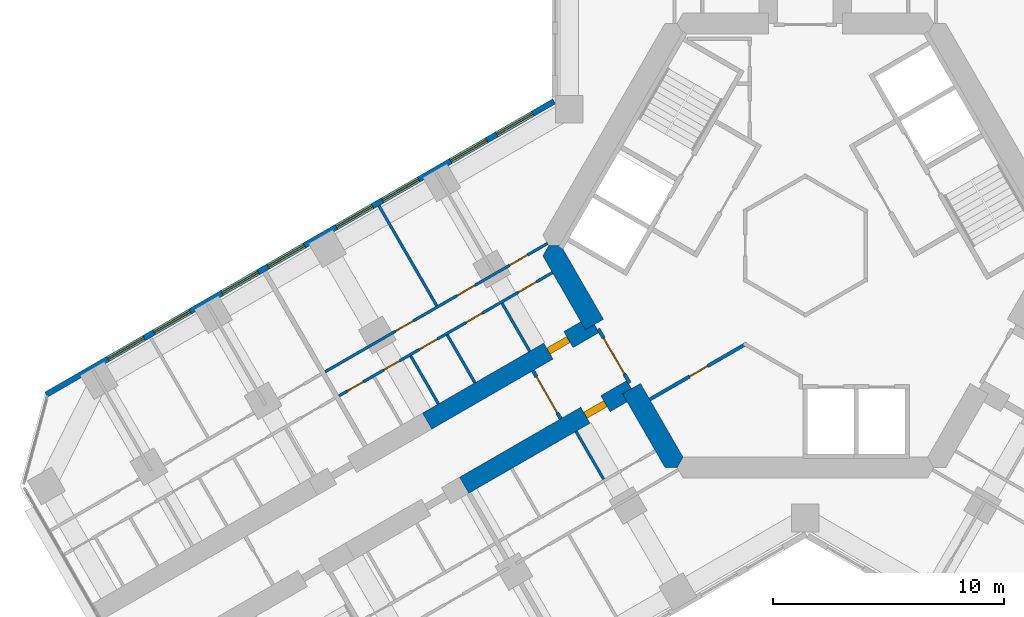
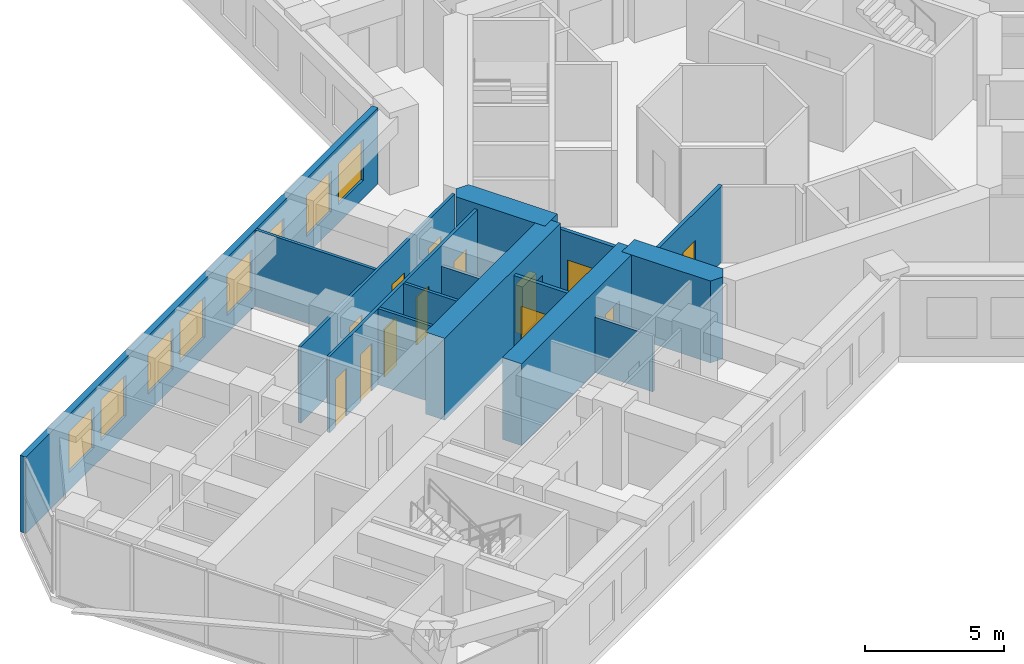
# One storey, part 12 of 20: 15 walls, 13 doors, 8 windows, 21 openings.
"""IFC4 building model written with IfcOpenShell, lengths in metres."""

from ifc_helpers import new_model, si_unit, direction, frame, frame_2d, origin, place, context, subcontext, project, spatial, polyline, rectangle, outline, extrude, material, layer, layer_set, type_object, element, fill, save


model = new_model("IFC4")

# Units and contexts
model_context = context("Model", 3, precision=1e-05, world=origin(), true_north=direction((0.0, 1.0)))
body_context = subcontext(model_context, "Body", "Model", "MODEL_VIEW")
ifc_project = project(units=[si_unit("LENGTHUNIT", "METRE"), si_unit("AREAUNIT", "SQUARE_METRE"), si_unit("VOLUMEUNIT", "CUBIC_METRE"), si_unit("PLANEANGLEUNIT", "RADIAN"), si_unit("MASSUNIT", "GRAM", prefix="KILO")], contexts=[model_context])

# Site, building, storey
site_placement = place(None, origin())
site = spatial("IfcSite", under=ifc_project, at=site_placement, CompositionType="ELEMENT")
building_placement = place(site_placement, origin())
building = spatial("IfcBuilding", under=site, at=building_placement, Name="Kosmar Iwan School Tower", CompositionType="ELEMENT")
storey_placement = place(building_placement, frame((0.0, 0.0, 123.800048828125)))
storey = spatial("IfcBuildingStorey", under=building, at=storey_placement, Name="L30", CompositionType="ELEMENT", Elevation=123.800048828125)

# Wall, opening, door
ifc_material_1 = material(Name="Gypsum board on steel studs, fire-rated", Category="steel")
ifc_layer_1 = layer(ifc_material_1, 0.14990234375)
ifc_layer_set_1 = layer_set([ifc_layer_1], Name="Core room partition 150")
wall_type_1 = type_object("IfcWallType", Name="Core room partition 150", PredefinedType="PARTITIONING", material=ifc_layer_set_1)
wall_1_placement = place(storey_placement, frame((-6.728515625, -6.656005859375, 0.0), z_axis=(0.0, 0.0, 1.0), x_axis=(0.86601597685, 0.500016327574, 0.0)))
wall_1 = element("IfcWall", 1, at=wall_1_placement, inside=storey, type_object=wall_type_1, Name="Core room partition L30-CW5", PredefinedType="PARTITIONING", context=body_context, shape_type="SweptSolid", body=[
    extrude(rectangle(XDim=4.842041015625, YDim=0.14990234375, at=frame_2d((2.4208984375, 0.0))), origin(), (0.0, 0.0, 1.0), 3.349853515625),
])
opening_1_placement = place(wall_1_placement, frame((1.990966796875, 0.0, 0.0)))
opening_1 = element("IfcOpeningElement", 2, at=opening_1_placement, cuts=wall_1, Name="Opening D14", PredefinedType="OPENING", context=body_context, shape_type="SweptSolid", body=[
    extrude(rectangle(XDim=0.89990234375, YDim=2.10009765625, at=frame_2d((0.449951171875, 1.050048828125))), frame((0.0, 0.0869140625, 0.0), z_axis=(0.0, -1.0, 0.0), x_axis=(1.0, 0.0, 0.0)), (0.0, 0.0, 1.0), 0.173828125),
])
ifc_material_2 = material(Name="Timber fire door in steel frame", Category="steel")
door_type_1 = type_object("IfcDoorType", Name="Core room door 900x2100", OperationType="SINGLE_SWING_LEFT", PredefinedType="DOOR", material=ifc_material_2)
door_1_placement = place(opening_1_placement, origin())
door_1 = element("IfcDoor", 3, at=door_1_placement, inside=storey, type_object=door_type_1, Name="Parcel room door L30 3", OperationType="SINGLE_SWING_RIGHT", OverallHeight=2.10009765625, OverallWidth=0.89990234375, PredefinedType="DOOR", context=body_context, shape_type="SweptSolid", body=[
    extrude(rectangle(XDim=0.89990234375, YDim=2.10009765625, at=frame_2d((0.449951171875, 1.050048828125))), frame((0.0, 0.02490234375, 0.0), z_axis=(0.0, -1.0, 0.0), x_axis=(1.0, 0.0, 0.0)), (0.0, 0.0, 1.0), 0.050048828125),
])
fill(opening_1, door_1)

# Walls
ifc_material_3 = material(Name="Concrete C50/60", Category="concrete")
ifc_layer_2 = layer(ifc_material_3, 0.89990234375)
ifc_layer_set_2 = layer_set([ifc_layer_2], Name="Core wall 900")
wall_type_2 = type_object("IfcWallType", Name="Core wall 900", PredefinedType="SHEAR", material=ifc_layer_set_2)
wall_2_placement = place(storey_placement, origin())
element("IfcWall", 4, at=wall_2_placement, inside=storey, type_object=wall_type_2, Name="Core wall F210a", PredefinedType="SHEAR", context=body_context, shape_type="SweptSolid", body=[
    extrude(outline(polyline([(-9.503662109375, -3.639404296875), (-8.72412109375, -3.189453125), (-10.5654296875, 0.0), (-11.085205078125, 0.0), (-11.344970703125, -0.449951171875), (-9.503662109375, -3.639404296875)])), origin(), (0.0, 0.0, 1.0), 3.599853515625),
])
wall_3_placement = place(storey_placement, origin())
element("IfcWall", 5, at=wall_3_placement, inside=storey, type_object=wall_type_2, Name="Core wall F210b", PredefinedType="SHEAR", context=body_context, shape_type="SweptSolid", body=[
    extrude(outline(polyline([(-6.062255859375, -9.60009765625), (-5.54248046875, -9.60009765625), (-5.28271484375, -9.14990234375), (-7.1240234375, -5.960693359375), (-7.903564453125, -6.41064453125), (-6.062255859375, -9.60009765625)])), origin(), (0.0, 0.0, 1.0), 3.599853515625),
])

# Wall, opening, door
ifc_material_4 = material(Name="Concrete C50/60", Category="concrete")
ifc_layer_3 = layer(ifc_material_4, 0.800048828125)
ifc_layer_set_3 = layer_set([ifc_layer_3], Name="Corridor buttress wall 800")
wall_type_3 = type_object("IfcWallType", Name="Corridor buttress wall 800", PredefinedType="SHEAR", material=ifc_layer_set_3)
wall_4_placement = place(storey_placement, frame((-7.513916015625, -6.185546875, 0.0), z_axis=(0.0, 0.0, 1.0), x_axis=(-0.866019549707, -0.500010139422, 0.0)))
wall_4 = element("IfcWall", 6, at=wall_4_placement, inside=storey, type_object=wall_type_3, Name="Corridor wall BL", PredefinedType="SHEAR", context=body_context, shape_type="SweptSolid", body=[
    extrude(rectangle(XDim=8.349853515625, YDim=0.800048828125, at=frame_2d((4.1748046875, 0.0))), origin(), (0.0, 0.0, 1.0), 3.599853515625),
])
opening_2_placement = place(wall_4_placement, frame((1.300048828125, 0.0, 0.0)))
opening_2 = element("IfcOpeningElement", 7, at=opening_2_placement, cuts=wall_4, Name="Opening D1", PredefinedType="OPENING", context=body_context, shape_type="SweptSolid", body=[
    extrude(rectangle(XDim=1.0, YDim=2.10009765625, at=frame_2d((0.5, 1.050048828125))), frame((0.0, 0.412109375, 0.0), z_axis=(0.0, -1.0, 0.0), x_axis=(1.0, 0.0, 0.0)), (0.0, 0.0, 1.0), 0.823974609375),
])
ifc_material_5 = material(Name="Timber fire door in steel frame", Category="steel")
door_type_2 = type_object("IfcDoorType", Name="Flat entrance door 1000x2100", OperationType="SINGLE_SWING_LEFT", PredefinedType="DOOR", material=ifc_material_5)
door_2_placement = place(opening_2_placement, origin())
door_2 = element("IfcDoor", 8, at=door_2_placement, inside=storey, type_object=door_type_2, Name="Flat L30-BL1 entrance door", OperationType="SINGLE_SWING_RIGHT", OverallHeight=2.10009765625, OverallWidth=1.0, PredefinedType="DOOR", context=body_context, shape_type="SweptSolid", body=[
    extrude(rectangle(XDim=1.0, YDim=2.10009765625, at=frame_2d((0.5, 1.050048828125))), frame((0.0, 0.14990234375, 0.0), z_axis=(0.0, -1.0, 0.0), x_axis=(1.0, 0.0, 0.0)), (0.0, 0.0, 1.0), 0.300048828125),
])
fill(opening_2, door_2)

wall_5_placement = place(storey_placement, frame((-9.11376953125, -3.414306640625, 0.0), z_axis=(0.0, 0.0, 1.0), x_axis=(-0.866026859388, -0.499997478812, 0.0)))
wall_5 = element("IfcWall", 9, at=wall_5_placement, inside=storey, type_object=wall_type_3, Name="Corridor wall BR", PredefinedType="SHEAR", context=body_context, shape_type="SweptSolid", body=[
    extrude(rectangle(XDim=8.35009765625, YDim=0.800048828125, at=frame_2d((4.175048828125, 0.0))), origin(), (0.0, 0.0, 1.0), 3.599853515625),
])
opening_3_placement = place(wall_5_placement, frame((1.300048828125, 0.0, 0.0)))
opening_3 = element("IfcOpeningElement", 10, at=opening_3_placement, cuts=wall_5, Name="Opening D1", PredefinedType="OPENING", context=body_context, shape_type="SweptSolid", body=[
    extrude(rectangle(XDim=1.0, YDim=2.10009765625, at=frame_2d((0.5, 1.050048828125))), frame((0.0, 0.412109375, 0.0), z_axis=(0.0, -1.0, 0.0), x_axis=(1.0, 0.0, 0.0)), (0.0, 0.0, 1.0), 0.823974609375),
])
door_3_placement = place(opening_3_placement, origin())
door_3 = element("IfcDoor", 11, at=door_3_placement, inside=storey, type_object=door_type_2, Name="Flat L30-BR1 entrance door", OperationType="SINGLE_SWING_RIGHT", OverallHeight=2.10009765625, OverallWidth=1.0, PredefinedType="DOOR", context=body_context, shape_type="SweptSolid", body=[
    extrude(rectangle(XDim=1.0, YDim=2.10009765625, at=frame_2d((0.5, 1.050048828125))), frame((0.0, 0.14990234375, 0.0), z_axis=(0.0, -1.0, 0.0), x_axis=(1.0, 0.0, 0.0)), (0.0, 0.0, 1.0), 0.300048828125),
])
fill(opening_3, door_3)

ifc_material_6 = material(Name="Gypsum board on steel studs, fire-rated", Category="steel")
ifc_layer_4 = layer(ifc_material_6, 0.14990234375)
ifc_layer_set_4 = layer_set([ifc_layer_4], Name="Corridor end wall 150")
wall_type_4 = type_object("IfcWallType", Name="Corridor end wall 150", PredefinedType="PARTITIONING", material=ifc_layer_set_4)
wall_6_placement = place(storey_placement, frame((-11.771728515625, -5.41064453125, 0.0), z_axis=(0.0, 0.0, 1.0), x_axis=(0.499957262057, -0.866050077142, 0.0)))
wall_6 = element("IfcWall", 12, at=wall_6_placement, inside=storey, type_object=wall_type_4, Name="Partition L30-B-HW", PredefinedType="PARTITIONING", context=body_context, shape_type="SweptSolid", body=[
    extrude(rectangle(XDim=2.400146484375, YDim=0.14990234375, at=frame_2d((1.2001953125, 0.0))), origin(), (0.0, 0.0, 1.0), 3.349853515625),
])
opening_4_placement = place(wall_6_placement, frame((0.300048828125, 0.0, 0.0)))
opening_4 = element("IfcOpeningElement", 13, at=opening_4_placement, cuts=wall_6, Name="Opening D9", PredefinedType="OPENING", context=body_context, shape_type="SweptSolid", body=[
    extrude(rectangle(XDim=1.800048828125, YDim=2.10009765625, at=frame_2d((0.89990234375, 1.050048828125))), frame((0.0, 0.0869140625, 0.0), z_axis=(0.0, -1.0, 0.0), x_axis=(1.0, 0.0, 0.0)), (0.0, 0.0, 1.0), 0.173828125),
])
ifc_material_7 = material(Name="Steel framed glazed smoke door", Category="steel")
door_type_3 = type_object("IfcDoorType", Name="Corridor smoke door pair 1800x2100", OperationType="DOUBLE_DOOR_DOUBLE_SWING", PredefinedType="DOOR", material=ifc_material_7)
door_4_placement = place(opening_4_placement, origin())
door_4 = element("IfcDoor", 14, at=door_4_placement, inside=storey, type_object=door_type_3, Name="Hashti vestibule smoke doors L30-B", OperationType="DOUBLE_DOOR_DOUBLE_SWING", OverallHeight=2.10009765625, OverallWidth=1.800048828125, PredefinedType="DOOR", context=body_context, shape_type="SweptSolid", body=[
    extrude(rectangle(XDim=1.800048828125, YDim=2.10009765625, at=frame_2d((0.89990234375, 1.050048828125))), frame((0.0, 0.02490234375, 0.0), z_axis=(0.0, -1.0, 0.0), x_axis=(1.0, 0.0, 0.0)), (0.0, 0.0, 1.0), 0.050048828125),
])
fill(opening_4, door_4)

ifc_material_8 = material(Name="Steel framed glazed screen", Category="steel")
ifc_layer_5 = layer(ifc_material_8, 0.14990234375)
ifc_layer_set_5 = layer_set([ifc_layer_5], Name="Corridor screen wall 150")
wall_type_5 = type_object("IfcWallType", Name="Corridor screen wall 150", PredefinedType="PARTITIONING", material=ifc_layer_set_5)
wall_7_placement = place(storey_placement, frame((-8.945556640625, -3.60595703125, 0.0), z_axis=(0.0, 0.0, 1.0), x_axis=(0.500048589285, -0.86599734893, 0.0)))
wall_7 = element("IfcWall", 15, at=wall_7_placement, inside=storey, type_object=wall_type_5, Name="Corridor screen B L30", PredefinedType="PARTITIONING", context=body_context, shape_type="SweptSolid", body=[
    extrude(rectangle(XDim=2.699951171875, YDim=0.14990234375, at=frame_2d((1.35009765625, 0.0))), origin(), (0.0, 0.0, 1.0), 3.349853515625),
])
opening_5_placement = place(wall_7_placement, frame((0.449951171875, 0.0, 0.0)))
opening_5 = element("IfcOpeningElement", 16, at=opening_5_placement, cuts=wall_7, Name="Opening D9", PredefinedType="OPENING", context=body_context, shape_type="SweptSolid", body=[
    extrude(rectangle(XDim=1.800048828125, YDim=2.10009765625, at=frame_2d((0.89990234375, 1.050048828125))), frame((0.0, 0.0869140625, 0.0), z_axis=(0.0, -1.0, 0.0), x_axis=(1.0, 0.0, 0.0)), (0.0, 0.0, 1.0), 0.173828125),
])
door_5_placement = place(opening_5_placement, origin())
door_5 = element("IfcDoor", 17, at=door_5_placement, inside=storey, type_object=door_type_3, Name="Corridor doors B L30", OperationType="DOUBLE_DOOR_DOUBLE_SWING", OverallHeight=2.10009765625, OverallWidth=1.800048828125, PredefinedType="DOOR", context=body_context, shape_type="SweptSolid", body=[
    extrude(rectangle(XDim=1.800048828125, YDim=2.10009765625, at=frame_2d((0.89990234375, 1.050048828125))), frame((0.0, 0.02490234375, 0.0), z_axis=(0.0, -1.0, 0.0), x_axis=(1.0, 0.0, 0.0)), (0.0, 0.0, 1.0), 0.050048828125),
])
fill(opening_5, door_5)

# Wall
ifc_material_9 = material(Name="Gypsum board on steel studs", Category="steel")
ifc_layer_6 = layer(ifc_material_9, 0.1201171875)
ifc_layer_set_6 = layer_set([ifc_layer_6], Name="Dwelling partition 120")
wall_type_6 = type_object("IfcWallType", Name="Dwelling partition 120", PredefinedType="PARTITIONING", material=ifc_layer_set_6)
wall_8_placement = place(storey_placement, frame((-9.911865234375, -8.031982421875, 0.0), z_axis=(0.0, 0.0, 1.0), x_axis=(0.500017192868, -0.86601547725, 0.0)))
element("IfcWall", 18, at=wall_8_placement, inside=storey, type_object=wall_type_6, Name="Partition L30-BL1-Y1", PredefinedType="PARTITIONING", context=body_context, shape_type="SweptSolid", body=[
    extrude(rectangle(XDim=2.39013671875, YDim=0.1201171875, at=frame_2d((1.195068359375, 0.0))), origin(), (0.0, 0.0, 1.0), 2.449951171875),
])

# Wall, openings, doors
wall_9_placement = place(storey_placement, frame((-10.928466796875, -1.171142578125, 0.0), z_axis=(0.0, 0.0, 1.0), x_axis=(-0.866032509089, -0.49998769305, 0.0)))
wall_9 = element("IfcWall", 19, at=wall_9_placement, inside=storey, type_object=wall_type_6, Name="Partition L30-BR1-W1", PredefinedType="PARTITIONING", context=body_context, shape_type="SweptSolid", body=[
    extrude(rectangle(XDim=10.650146484375, YDim=0.1201171875, at=frame_2d((5.3251953125, 0.0))), origin(), (0.0, 0.0, 1.0), 3.349853515625),
])
opening_6_placement = place(wall_9_placement, frame((0.800048828125, 0.0, 0.0)))
opening_6 = element("IfcOpeningElement", 20, at=opening_6_placement, cuts=wall_9, Name="Opening D2", PredefinedType="OPENING", context=body_context, shape_type="SweptSolid", body=[
    extrude(rectangle(XDim=0.89990234375, YDim=2.10009765625, at=frame_2d((0.449951171875, 1.050048828125))), frame((0.0, 0.072021484375, 0.0), z_axis=(0.0, -1.0, 0.0), x_axis=(1.0, 0.0, 0.0)), (0.0, 0.0, 1.0), 0.14404296875),
])
opening_7_placement = place(wall_9_placement, frame((3.5166015625, 0.0, 0.0)))
opening_7 = element("IfcOpeningElement", 21, at=opening_7_placement, cuts=wall_9, Name="Opening D3", PredefinedType="OPENING", context=body_context, shape_type="SweptSolid", body=[
    extrude(rectangle(XDim=0.800048828125, YDim=2.10009765625, at=frame_2d((0.39990234375, 1.050048828125))), frame((0.0, 0.072021484375, 0.0), z_axis=(0.0, -1.0, 0.0), x_axis=(1.0, 0.0, 0.0)), (0.0, 0.0, 1.0), 0.14404296875),
])
opening_8_placement = place(wall_9_placement, frame((5.744384765625, 0.0, 0.0)))
opening_8 = element("IfcOpeningElement", 22, at=opening_8_placement, cuts=wall_9, Name="Opening D2", PredefinedType="OPENING", context=body_context, shape_type="SweptSolid", body=[
    extrude(rectangle(XDim=0.89990234375, YDim=2.10009765625, at=frame_2d((0.449951171875, 1.050048828125))), frame((0.0, 0.072021484375, 0.0), z_axis=(0.0, -1.0, 0.0), x_axis=(1.0, 0.0, 0.0)), (0.0, 0.0, 1.0), 0.14404296875),
])
opening_9_placement = place(wall_9_placement, frame((7.61669921875, 0.0, 0.0)))
opening_9 = element("IfcOpeningElement", 23, at=opening_9_placement, cuts=wall_9, Name="Opening D3", PredefinedType="OPENING", context=body_context, shape_type="SweptSolid", body=[
    extrude(rectangle(XDim=0.800048828125, YDim=2.10009765625, at=frame_2d((0.39990234375, 1.050048828125))), frame((0.0, 0.072021484375, 0.0), z_axis=(0.0, -1.0, 0.0), x_axis=(1.0, 0.0, 0.0)), (0.0, 0.0, 1.0), 0.14404296875),
])
opening_10_placement = place(wall_9_placement, frame((9.43896484375, 0.0, 0.0)))
opening_10 = element("IfcOpeningElement", 24, at=opening_10_placement, cuts=wall_9, Name="Opening D3", PredefinedType="OPENING", context=body_context, shape_type="SweptSolid", body=[
    extrude(rectangle(XDim=0.800048828125, YDim=2.10009765625, at=frame_2d((0.39990234375, 1.050048828125))), frame((0.0, 0.072021484375, 0.0), z_axis=(0.0, -1.0, 0.0), x_axis=(1.0, 0.0, 0.0)), (0.0, 0.0, 1.0), 0.14404296875),
])
ifc_material_10 = material(Name="Timber door in timber frame", Category="wood")
door_type_4 = type_object("IfcDoorType", Name="Internal door 900x2100", OperationType="SINGLE_SWING_LEFT", PredefinedType="DOOR", material=ifc_material_10)
door_6_placement = place(opening_6_placement, origin())
door_6 = element("IfcDoor", 25, at=door_6_placement, inside=storey, type_object=door_type_4, Name="Entrance hall door L30-BR1-S1", OperationType="SINGLE_SWING_LEFT", OverallHeight=2.10009765625, OverallWidth=0.89990234375, PredefinedType="DOOR", context=body_context, shape_type="SweptSolid", body=[
    extrude(rectangle(XDim=0.89990234375, YDim=2.10009765625, at=frame_2d((0.449951171875, 1.050048828125))), frame((0.0, 0.02490234375, 0.0), z_axis=(0.0, -1.0, 0.0), x_axis=(1.0, 0.0, 0.0)), (0.0, 0.0, 1.0), 0.050048828125),
])
fill(opening_6, door_6)
door_7_placement = place(opening_8_placement, origin())
door_7 = element("IfcDoor", 26, at=door_7_placement, inside=storey, type_object=door_type_4, Name="Pantry door L30-BR1-S3", OperationType="SINGLE_SWING_LEFT", OverallHeight=2.10009765625, OverallWidth=0.89990234375, PredefinedType="DOOR", context=body_context, shape_type="SweptSolid", body=[
    extrude(rectangle(XDim=0.89990234375, YDim=2.10009765625, at=frame_2d((0.449951171875, 1.050048828125))), frame((0.0, 0.02490234375, 0.0), z_axis=(0.0, -1.0, 0.0), x_axis=(1.0, 0.0, 0.0)), (0.0, 0.0, 1.0), 0.050048828125),
])
fill(opening_8, door_7)
ifc_material_11 = material(Name="Timber door in timber frame", Category="wood")
door_type_5 = type_object("IfcDoorType", Name="Sanitary room door 800x2100", OperationType="SINGLE_SWING_LEFT", PredefinedType="DOOR", material=ifc_material_11)
door_8_placement = place(opening_7_placement, origin())
door_8 = element("IfcDoor", 27, at=door_8_placement, inside=storey, type_object=door_type_5, Name="Bathroom door L30-BR1-S2", OperationType="SINGLE_SWING_RIGHT", OverallHeight=2.10009765625, OverallWidth=0.800048828125, PredefinedType="DOOR", context=body_context, shape_type="SweptSolid", body=[
    extrude(rectangle(XDim=0.800048828125, YDim=2.10009765625, at=frame_2d((0.39990234375, 1.050048828125))), frame((0.0, 0.02490234375, 0.0), z_axis=(0.0, -1.0, 0.0), x_axis=(1.0, 0.0, 0.0)), (0.0, 0.0, 1.0), 0.050048828125),
])
fill(opening_7, door_8)
door_9_placement = place(opening_9_placement, origin())
door_9 = element("IfcDoor", 28, at=door_9_placement, inside=storey, type_object=door_type_5, Name="WC door L30-BR1-S4", OperationType="SINGLE_SWING_RIGHT", OverallHeight=2.10009765625, OverallWidth=0.800048828125, PredefinedType="DOOR", context=body_context, shape_type="SweptSolid", body=[
    extrude(rectangle(XDim=0.800048828125, YDim=2.10009765625, at=frame_2d((0.39990234375, 1.050048828125))), frame((0.0, 0.02490234375, 0.0), z_axis=(0.0, -1.0, 0.0), x_axis=(1.0, 0.0, 0.0)), (0.0, 0.0, 1.0), 0.050048828125),
])
fill(opening_9, door_9)
door_10_placement = place(opening_10_placement, origin())
door_10 = element("IfcDoor", 29, at=door_10_placement, inside=storey, type_object=door_type_5, Name="Store door L30-BR1-S5", OperationType="SINGLE_SWING_RIGHT", OverallHeight=2.10009765625, OverallWidth=0.800048828125, PredefinedType="DOOR", context=body_context, shape_type="SweptSolid", body=[
    extrude(rectangle(XDim=0.800048828125, YDim=2.10009765625, at=frame_2d((0.39990234375, 1.050048828125))), frame((0.0, 0.02490234375, 0.0), z_axis=(0.0, -1.0, 0.0), x_axis=(1.0, 0.0, 0.0)), (0.0, 0.0, 1.0), 0.050048828125),
])
fill(opening_10, door_10)

wall_10_placement = place(storey_placement, frame((-11.138916015625, 0.093017578125, 0.0), z_axis=(0.0, 0.0, 1.0), x_axis=(-0.866021494144, -0.500006771635, 0.0)))
wall_10 = element("IfcWall", 30, at=wall_10_placement, inside=storey, type_object=wall_type_6, Name="Partition L30-BR1-W2", PredefinedType="PARTITIONING", context=body_context, shape_type="SweptSolid", body=[
    extrude(rectangle(XDim=11.099853515625, YDim=0.1201171875, at=frame_2d((5.5498046875, 0.0))), origin(), (0.0, 0.0, 1.0), 3.349853515625),
])
opening_11_placement = place(wall_10_placement, frame((1.0, 0.0, 0.0)))
opening_11 = element("IfcOpeningElement", 31, at=opening_11_placement, cuts=wall_10, Name="Opening D2", PredefinedType="OPENING", context=body_context, shape_type="SweptSolid", body=[
    extrude(rectangle(XDim=0.89990234375, YDim=2.10009765625, at=frame_2d((0.449951171875, 1.050048828125))), frame((0.0, 0.072021484375, 0.0), z_axis=(0.0, -1.0, 0.0), x_axis=(1.0, 0.0, 0.0)), (0.0, 0.0, 1.0), 0.14404296875),
])
opening_12_placement = place(wall_10_placement, frame((3.625, 0.0, 0.0)))
opening_12 = element("IfcOpeningElement", 32, at=opening_12_placement, cuts=wall_10, Name="Opening D2", PredefinedType="OPENING", context=body_context, shape_type="SweptSolid", body=[
    extrude(rectangle(XDim=0.89990234375, YDim=2.10009765625, at=frame_2d((0.449951171875, 1.050048828125))), frame((0.0, 0.072021484375, 0.0), z_axis=(0.0, -1.0, 0.0), x_axis=(1.0, 0.0, 0.0)), (0.0, 0.0, 1.0), 0.14404296875),
])
opening_13_placement = place(wall_10_placement, frame((6.699951171875, 0.0, 0.0)))
opening_13 = element("IfcOpeningElement", 33, at=opening_13_placement, cuts=wall_10, Name="Opening D2", PredefinedType="OPENING", context=body_context, shape_type="SweptSolid", body=[
    extrude(rectangle(XDim=0.89990234375, YDim=2.10009765625, at=frame_2d((0.449951171875, 1.050048828125))), frame((0.0, 0.072021484375, 0.0), z_axis=(0.0, -1.0, 0.0), x_axis=(1.0, 0.0, 0.0)), (0.0, 0.0, 1.0), 0.14404296875),
])
door_11_placement = place(opening_11_placement, origin())
door_11 = element("IfcDoor", 34, at=door_11_placement, inside=storey, type_object=door_type_4, Name="Bedroom 1 door L30-BR1-F1", OperationType="SINGLE_SWING_LEFT", OverallHeight=2.10009765625, OverallWidth=0.89990234375, PredefinedType="DOOR", context=body_context, shape_type="SweptSolid", body=[
    extrude(rectangle(XDim=0.89990234375, YDim=2.10009765625, at=frame_2d((0.449951171875, 1.050048828125))), frame((0.0, 0.02490234375, 0.0), z_axis=(0.0, -1.0, 0.0), x_axis=(1.0, 0.0, 0.0)), (0.0, 0.0, 1.0), 0.050048828125),
])
fill(opening_11, door_11)
door_12_placement = place(opening_12_placement, origin())
door_12 = element("IfcDoor", 35, at=door_12_placement, inside=storey, type_object=door_type_4, Name="Study door L30-BR1-F2", OperationType="SINGLE_SWING_LEFT", OverallHeight=2.10009765625, OverallWidth=0.89990234375, PredefinedType="DOOR", context=body_context, shape_type="SweptSolid", body=[
    extrude(rectangle(XDim=0.89990234375, YDim=2.10009765625, at=frame_2d((0.449951171875, 1.050048828125))), frame((0.0, 0.02490234375, 0.0), z_axis=(0.0, -1.0, 0.0), x_axis=(1.0, 0.0, 0.0)), (0.0, 0.0, 1.0), 0.050048828125),
])
fill(opening_12, door_12)
door_13_placement = place(opening_13_placement, origin())
door_13 = element("IfcDoor", 36, at=door_13_placement, inside=storey, type_object=door_type_4, Name="Family room and kitchen door L30-BR1-F3", OperationType="SINGLE_SWING_RIGHT", OverallHeight=2.10009765625, OverallWidth=0.89990234375, PredefinedType="DOOR", context=body_context, shape_type="SweptSolid", body=[
    extrude(rectangle(XDim=0.89990234375, YDim=2.10009765625, at=frame_2d((0.449951171875, 1.050048828125))), frame((0.0, 0.02490234375, 0.0), z_axis=(0.0, -1.0, 0.0), x_axis=(1.0, 0.0, 0.0)), (0.0, 0.0, 1.0), 0.050048828125),
])
fill(opening_13, door_13)

# Walls
wall_11_placement = place(storey_placement, frame((-15.931884765625, -2.60498046875, 0.0), z_axis=(0.0, 0.0, 1.0), x_axis=(-0.500011847778, 0.866018563358, 0.0)))
element("IfcWall", 37, at=wall_11_placement, inside=storey, type_object=wall_type_6, Name="Partition L30-BR1-X2", PredefinedType="PARTITIONING", context=body_context, shape_type="SweptSolid", body=[
    extrude(rectangle(XDim=4.990234375, YDim=0.1201171875, at=frame_2d((2.4951171875, 0.0))), origin(), (0.0, 0.0, 1.0), 3.349853515625),
])
wall_12_placement = place(storey_placement, frame((-11.911865234375, -4.56787109375, 0.0), z_axis=(0.0, 0.0, 1.0), x_axis=(-0.500017192868, 0.86601547725, 0.0)))
element("IfcWall", 38, at=wall_12_placement, inside=storey, type_object=wall_type_6, Name="Partition L30-BR1-Y1", PredefinedType="PARTITIONING", context=body_context, shape_type="SweptSolid", body=[
    extrude(rectangle(XDim=2.39013671875, YDim=0.1201171875, at=frame_2d((1.195068359375, 0.0))), origin(), (0.0, 0.0, 1.0), 2.449951171875),
])
for number, where, z_axis, x_axis, name in (
    (39, (-14.279052734375, -5.9345703125, 0.0), (0.0, 0.0, 1.0), (-0.500017192868, 0.86601547725, 0.0), "Partition L30-BR1-Y2"),
    (40, (-15.857177734375, -6.845703125, 0.0), (0.0, 0.0, 1.0), (-0.500017192868, 0.86601547725, 0.0), "Partition L30-BR1-Y3"),
):
    element("IfcWall", number, at=place(storey_placement, frame(where, z_axis=z_axis, x_axis=x_axis)), inside=storey, type_object=wall_type_6, Name=name, PredefinedType="PARTITIONING", context=body_context, shape_type="SweptSolid", body=[
        extrude(rectangle(XDim=2.39013671875, YDim=0.1201171875, at=frame_2d((1.195068359375, 0.0))), origin(), (0.0, 0.0, 1.0), 3.349853515625),
    ])

# Wall, openings, windows
ifc_material_12 = material(Name="Black aluminium rainscreen on insulated framing", Category="aluminium")
ifc_layer_7 = layer(ifc_material_12, 0.25)
ifc_layer_set_7 = layer_set([ifc_layer_7], Name="External wall rainscreen 250")
wall_type_7 = type_object("IfcWallType", Name="External wall rainscreen 250", PredefinedType="SOLIDWALL", material=ifc_layer_set_7)
wall_13_placement = place(storey_placement, frame((-10.862548828125, 6.228271484375, 0.0), z_axis=(0.0, 0.0, 1.0), x_axis=(-0.866024996846, -0.500000704837, 0.0)))
wall_13 = element("IfcWall", 41, at=wall_13_placement, inside=storey, type_object=wall_type_7, Name="External wall BR L30", PredefinedType="SOLIDWALL", context=body_context, shape_type="SweptSolid", body=[
    extrude(rectangle(XDim=25.34228515625, YDim=0.25, at=frame_2d((12.671142578125, 0.0))), origin(), (0.0, 0.0, 1.0), 3.349853515625),
])
opening_14_placement = place(wall_13_placement, frame((1.056884765625, 0.0, 0.800048828125)))
opening_14 = element("IfcOpeningElement", 42, at=opening_14_placement, cuts=wall_13, Name="Opening W1", PredefinedType="OPENING", context=body_context, shape_type="SweptSolid", body=[
    extrude(rectangle(XDim=1.800048828125, YDim=1.800048828125, at=frame_2d((0.89990234375, 0.89990234375))), frame((0.0, 0.136962890625, 0.0), z_axis=(0.0, -1.0, 0.0), x_axis=(1.0, 0.0, 0.0)), (0.0, 0.0, 1.0), 0.27392578125),
])
opening_15_placement = place(wall_13_placement, frame((3.35693359375, 0.0, 0.800048828125)))
opening_15 = element("IfcOpeningElement", 43, at=opening_15_placement, cuts=wall_13, Name="Opening W1", PredefinedType="OPENING", context=body_context, shape_type="SweptSolid", body=[
    extrude(rectangle(XDim=1.800048828125, YDim=1.800048828125, at=frame_2d((0.89990234375, 0.89990234375))), frame((0.0, 0.136962890625, 0.0), z_axis=(0.0, -1.0, 0.0), x_axis=(1.0, 0.0, 0.0)), (0.0, 0.0, 1.0), 0.27392578125),
])
opening_16_placement = place(wall_13_placement, frame((6.7568359375, 0.0, 0.800048828125)))
opening_16 = element("IfcOpeningElement", 44, at=opening_16_placement, cuts=wall_13, Name="Opening W1", PredefinedType="OPENING", context=body_context, shape_type="SweptSolid", body=[
    extrude(rectangle(XDim=1.800048828125, YDim=1.800048828125, at=frame_2d((0.89990234375, 0.89990234375))), frame((0.0, 0.136962890625, 0.0), z_axis=(0.0, -1.0, 0.0), x_axis=(1.0, 0.0, 0.0)), (0.0, 0.0, 1.0), 0.27392578125),
])
opening_17_placement = place(wall_13_placement, frame((9.056884765625, 0.0, 0.800048828125)))
opening_17 = element("IfcOpeningElement", 45, at=opening_17_placement, cuts=wall_13, Name="Opening W1", PredefinedType="OPENING", context=body_context, shape_type="SweptSolid", body=[
    extrude(rectangle(XDim=1.800048828125, YDim=1.800048828125, at=frame_2d((0.89990234375, 0.89990234375))), frame((0.0, 0.136962890625, 0.0), z_axis=(0.0, -1.0, 0.0), x_axis=(1.0, 0.0, 0.0)), (0.0, 0.0, 1.0), 0.27392578125),
])
opening_18_placement = place(wall_13_placement, frame((12.456787109375, 0.0, 0.800048828125)))
opening_18 = element("IfcOpeningElement", 46, at=opening_18_placement, cuts=wall_13, Name="Opening W1", PredefinedType="OPENING", context=body_context, shape_type="SweptSolid", body=[
    extrude(rectangle(XDim=1.800048828125, YDim=1.800048828125, at=frame_2d((0.89990234375, 0.89990234375))), frame((0.0, 0.136962890625, 0.0), z_axis=(0.0, -1.0, 0.0), x_axis=(1.0, 0.0, 0.0)), (0.0, 0.0, 1.0), 0.27392578125),
])
opening_19_placement = place(wall_13_placement, frame((14.7568359375, 0.0, 0.800048828125)))
opening_19 = element("IfcOpeningElement", 47, at=opening_19_placement, cuts=wall_13, Name="Opening W1", PredefinedType="OPENING", context=body_context, shape_type="SweptSolid", body=[
    extrude(rectangle(XDim=1.800048828125, YDim=1.800048828125, at=frame_2d((0.89990234375, 0.89990234375))), frame((0.0, 0.136962890625, 0.0), z_axis=(0.0, -1.0, 0.0), x_axis=(1.0, 0.0, 0.0)), (0.0, 0.0, 1.0), 0.27392578125),
])
opening_20_placement = place(wall_13_placement, frame((18.156982421875, 0.0, 0.800048828125)))
opening_20 = element("IfcOpeningElement", 48, at=opening_20_placement, cuts=wall_13, Name="Opening W1", PredefinedType="OPENING", context=body_context, shape_type="SweptSolid", body=[
    extrude(rectangle(XDim=1.800048828125, YDim=1.800048828125, at=frame_2d((0.89990234375, 0.89990234375))), frame((0.0, 0.136962890625, 0.0), z_axis=(0.0, -1.0, 0.0), x_axis=(1.0, 0.0, 0.0)), (0.0, 0.0, 1.0), 0.27392578125),
])
opening_21_placement = place(wall_13_placement, frame((20.456787109375, 0.0, 0.800048828125)))
opening_21 = element("IfcOpeningElement", 49, at=opening_21_placement, cuts=wall_13, Name="Opening W1", PredefinedType="OPENING", context=body_context, shape_type="SweptSolid", body=[
    extrude(rectangle(XDim=1.800048828125, YDim=1.800048828125, at=frame_2d((0.89990234375, 0.89990234375))), frame((0.0, 0.136962890625, 0.0), z_axis=(0.0, -1.0, 0.0), x_axis=(1.0, 0.0, 0.0)), (0.0, 0.0, 1.0), 0.27392578125),
])
ifc_material_13 = material(Name="Black aluminium frame with dark triple glazing", Category="aluminium")
window_type = type_object("IfcWindowType", Name="Window 1800x1800", PartitioningType="SINGLE_PANEL", PredefinedType="WINDOW", material=ifc_material_13)
window_1_placement = place(opening_14_placement, origin())
window_1 = element("IfcWindow", 50, at=window_1_placement, inside=storey, type_object=window_type, Name="Window BR L30 -1", OverallHeight=1.800048828125, OverallWidth=1.800048828125, PartitioningType="SINGLE_PANEL", PredefinedType="WINDOW", context=body_context, shape_type="SweptSolid", body=[
    extrude(rectangle(XDim=1.800048828125, YDim=1.800048828125, at=frame_2d((0.89990234375, 0.89990234375))), frame((0.0, 0.030029296875, 0.0), z_axis=(0.0, -1.0, 0.0), x_axis=(1.0, 0.0, 0.0)), (0.0, 0.0, 1.0), 0.06005859375),
])
fill(opening_14, window_1)
window_2_placement = place(opening_15_placement, origin())
window_2 = element("IfcWindow", 51, at=window_2_placement, inside=storey, type_object=window_type, Name="Window BR L30 0", OverallHeight=1.800048828125, OverallWidth=1.800048828125, PartitioningType="SINGLE_PANEL", PredefinedType="WINDOW", context=body_context, shape_type="SweptSolid", body=[
    extrude(rectangle(XDim=1.800048828125, YDim=1.800048828125, at=frame_2d((0.89990234375, 0.89990234375))), frame((0.0, 0.030029296875, 0.0), z_axis=(0.0, -1.0, 0.0), x_axis=(1.0, 0.0, 0.0)), (0.0, 0.0, 1.0), 0.06005859375),
])
fill(opening_15, window_2)
window_3_placement = place(opening_16_placement, origin())
window_3 = element("IfcWindow", 52, at=window_3_placement, inside=storey, type_object=window_type, Name="Window BR L30 1", OverallHeight=1.800048828125, OverallWidth=1.800048828125, PartitioningType="SINGLE_PANEL", PredefinedType="WINDOW", context=body_context, shape_type="SweptSolid", body=[
    extrude(rectangle(XDim=1.800048828125, YDim=1.800048828125, at=frame_2d((0.89990234375, 0.89990234375))), frame((0.0, 0.030029296875, 0.0), z_axis=(0.0, -1.0, 0.0), x_axis=(1.0, 0.0, 0.0)), (0.0, 0.0, 1.0), 0.06005859375),
])
fill(opening_16, window_3)
window_4_placement = place(opening_17_placement, origin())
window_4 = element("IfcWindow", 53, at=window_4_placement, inside=storey, type_object=window_type, Name="Window BR L30 2", OverallHeight=1.800048828125, OverallWidth=1.800048828125, PartitioningType="SINGLE_PANEL", PredefinedType="WINDOW", context=body_context, shape_type="SweptSolid", body=[
    extrude(rectangle(XDim=1.800048828125, YDim=1.800048828125, at=frame_2d((0.89990234375, 0.89990234375))), frame((0.0, 0.030029296875, 0.0), z_axis=(0.0, -1.0, 0.0), x_axis=(1.0, 0.0, 0.0)), (0.0, 0.0, 1.0), 0.06005859375),
])
fill(opening_17, window_4)
window_5_placement = place(opening_18_placement, origin())
window_5 = element("IfcWindow", 54, at=window_5_placement, inside=storey, type_object=window_type, Name="Window BR L30 3", OverallHeight=1.800048828125, OverallWidth=1.800048828125, PartitioningType="SINGLE_PANEL", PredefinedType="WINDOW", context=body_context, shape_type="SweptSolid", body=[
    extrude(rectangle(XDim=1.800048828125, YDim=1.800048828125, at=frame_2d((0.89990234375, 0.89990234375))), frame((0.0, 0.030029296875, 0.0), z_axis=(0.0, -1.0, 0.0), x_axis=(1.0, 0.0, 0.0)), (0.0, 0.0, 1.0), 0.06005859375),
])
fill(opening_18, window_5)
window_6_placement = place(opening_19_placement, origin())
window_6 = element("IfcWindow", 55, at=window_6_placement, inside=storey, type_object=window_type, Name="Window BR L30 4", OverallHeight=1.800048828125, OverallWidth=1.800048828125, PartitioningType="SINGLE_PANEL", PredefinedType="WINDOW", context=body_context, shape_type="SweptSolid", body=[
    extrude(rectangle(XDim=1.800048828125, YDim=1.800048828125, at=frame_2d((0.89990234375, 0.89990234375))), frame((0.0, 0.030029296875, 0.0), z_axis=(0.0, -1.0, 0.0), x_axis=(1.0, 0.0, 0.0)), (0.0, 0.0, 1.0), 0.06005859375),
])
fill(opening_19, window_6)
window_7_placement = place(opening_20_placement, origin())
window_7 = element("IfcWindow", 56, at=window_7_placement, inside=storey, type_object=window_type, Name="Window BR L30 5", OverallHeight=1.800048828125, OverallWidth=1.800048828125, PartitioningType="SINGLE_PANEL", PredefinedType="WINDOW", context=body_context, shape_type="SweptSolid", body=[
    extrude(rectangle(XDim=1.800048828125, YDim=1.800048828125, at=frame_2d((0.89990234375, 0.89990234375))), frame((0.0, 0.030029296875, 0.0), z_axis=(0.0, -1.0, 0.0), x_axis=(1.0, 0.0, 0.0)), (0.0, 0.0, 1.0), 0.06005859375),
])
fill(opening_20, window_7)
window_8_placement = place(opening_21_placement, origin())
window_8 = element("IfcWindow", 57, at=window_8_placement, inside=storey, type_object=window_type, Name="Window BR L30 6", OverallHeight=1.800048828125, OverallWidth=1.800048828125, PartitioningType="SINGLE_PANEL", PredefinedType="WINDOW", context=body_context, shape_type="SweptSolid", body=[
    extrude(rectangle(XDim=1.800048828125, YDim=1.800048828125, at=frame_2d((0.89990234375, 0.89990234375))), frame((0.0, 0.030029296875, 0.0), z_axis=(0.0, -1.0, 0.0), x_axis=(1.0, 0.0, 0.0)), (0.0, 0.0, 1.0), 0.06005859375),
])
fill(opening_21, window_8)

save(model, "model.ifc")
